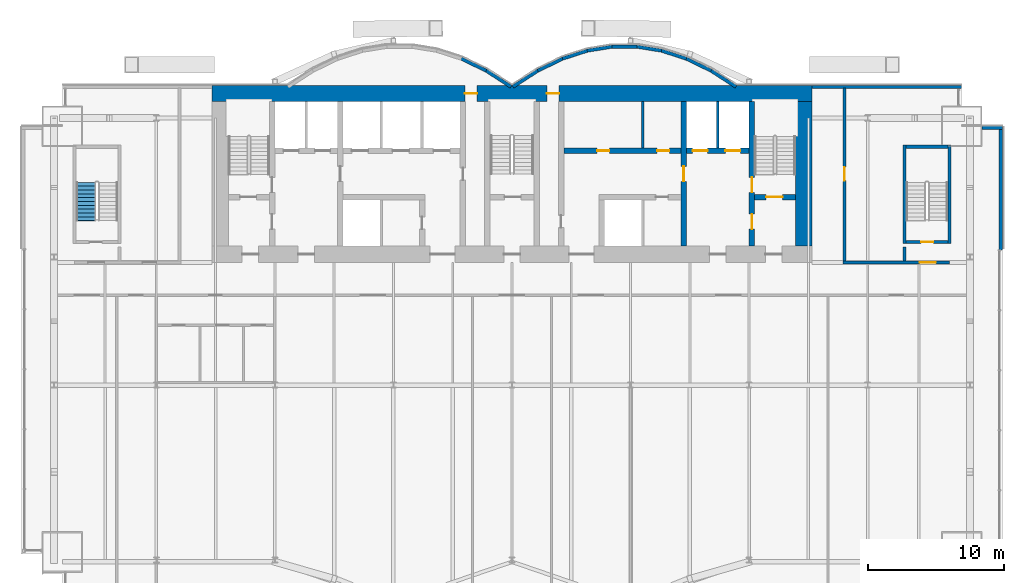
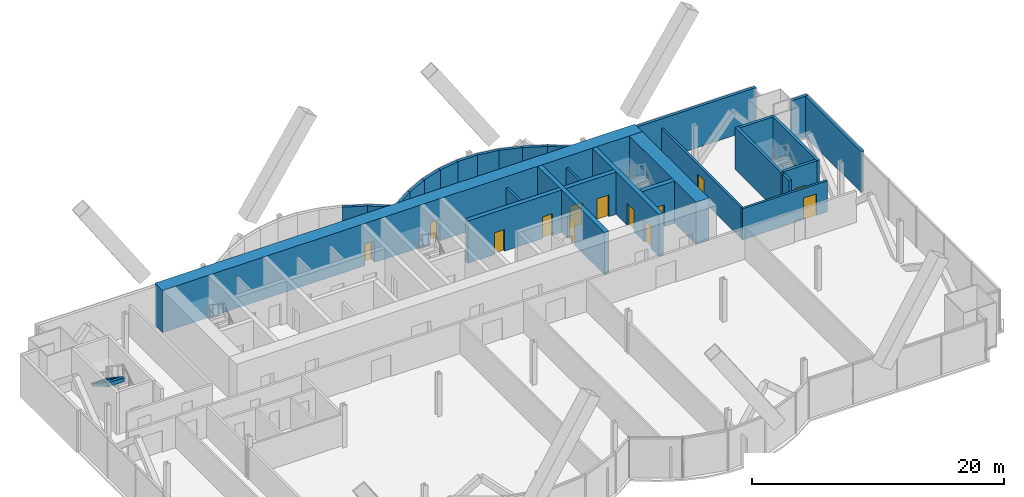
# One storey, part 17 of 21: 29 walls, 13 doors, 1 stair flight, 13 openings, 1 element without a shape of its own.
"""IFC4 building model written with IfcOpenShell, lengths in metres."""

from ifc_helpers import new_model, si_unit, direction, frame, frame_2d, origin, place, context, subcontext, project, spatial, polyline, rectangle, outline, extrude, material, layer, layer_set, layer_usage, type_object, element, fill, aggregate, save


model = new_model("IFC4")

# Units and contexts
model_context = context("Model", 3, precision=1e-05, world=origin(), true_north=direction((0.0, 1.0)))
body_context = subcontext(model_context, "Body", "Model", "MODEL_VIEW")
ifc_project = project(units=[si_unit("LENGTHUNIT", "METRE"), si_unit("AREAUNIT", "SQUARE_METRE"), si_unit("VOLUMEUNIT", "CUBIC_METRE"), si_unit("PLANEANGLEUNIT", "RADIAN"), si_unit("MASSUNIT", "GRAM", prefix="KILO")], contexts=[model_context])

# Site, building, storey
site_placement = place(None, origin())
site = spatial("IfcSite", under=ifc_project, at=site_placement, CompositionType="ELEMENT")
building_placement = place(site_placement, origin())
building = spatial("IfcBuilding", under=site, at=building_placement, Name="Bicima Exchange Tower", CompositionType="ELEMENT")
storey_placement = place(building_placement, frame((0.0, 0.0, 118.60009765625)))
storey = spatial("IfcBuildingStorey", under=building, at=storey_placement, Name="L25", CompositionType="ELEMENT", Elevation=118.60009765625)

# Wall
ifc_material_1 = material(Name="Gypsum board partition")
ifc_layer_1 = layer(ifc_material_1, 0.199951171875)
ifc_layer_set_1 = layer_set([ifc_layer_1], Name="Gypsum board partition")
wall_type_1 = type_object("IfcWallType", Name="Fire-rated gypsum partition 200 EI120", PredefinedType="PARTITIONING", material=ifc_layer_set_1)
wall_1_placement = place(storey_placement, frame((15.10009765625, -4.60009765625, 0.0), z_axis=(0.0, 0.0, 1.0), x_axis=(0.0, 1.0, 0.0)))
element("IfcWall", 1, at=wall_1_placement, inside=storey, type_object=wall_type_1, Name="partition wall 23", PredefinedType="PARTITIONING", context=body_context, shape_type="SweptSolid", body=[
    extrude(rectangle(XDim=3.400146484375, YDim=0.199951171875, at=frame_2d((1.7001953125, 0.0))), origin(), (0.0, 0.0, 1.0), 3.01806640625),
])

# Wall, opening, door
ifc_layer_2 = layer(ifc_material_1, 0.199951171875)
ifc_layer_set_2 = layer_set([ifc_layer_2], Name="Gypsum board partition")
wall_type_2 = type_object("IfcWallType", Name="Fire-rated gypsum partition 200 EI60", PredefinedType="PARTITIONING", material=ifc_layer_set_2)
wall_2_placement = place(storey_placement, frame((24.300048828125, -13.0, 0.0), z_axis=(0.0, 0.0, 1.0), x_axis=(1.0, 0.0, 0.0)))
wall_2 = element("IfcWall", 2, at=wall_2_placement, inside=storey, type_object=wall_type_2, Name="partition wall 5", PredefinedType="PARTITIONING", context=body_context, shape_type="SweptSolid", body=[
    extrude(rectangle(XDim=7.800048828125, YDim=0.199951171875, at=frame_2d((3.89990234375, 0.0))), origin(), (0.0, 0.0, 1.0), 3.01806640625),
])
opening_1_placement = place(wall_2_placement, frame((5.60009765625, 0.0, 0.0)))
opening_1 = element("IfcOpeningElement", 3, at=opening_1_placement, cuts=wall_2, Name="Opening L25-003", PredefinedType="OPENING", context=body_context, shape_type="SweptSolid", body=[
    extrude(rectangle(XDim=1.199951171875, YDim=2.10009765625, at=frame_2d((0.60009765625, 1.050048828125))), frame((0.0, 0.11181640625, 0.0), z_axis=(0.0, -1.0, 0.0), x_axis=(1.0, 0.0, 0.0)), (0.0, 0.0, 1.0), 0.223876953125),
])
ifc_material_2 = material(Name="Steel fire door leaf", Category="steel")
door_type_1 = type_object("IfcDoorType", Name="Door 1200 swing FD30S", OperationType="SINGLE_SWING_LEFT", PredefinedType="DOOR", material=ifc_material_2)
door_1_placement = place(opening_1_placement, origin())
door_1 = element("IfcDoor", 4, at=door_1_placement, inside=storey, type_object=door_type_1, Name="Door", OperationType="SINGLE_SWING_RIGHT", OverallHeight=2.10009765625, OverallWidth=1.199951171875, PredefinedType="DOOR", context=body_context, shape_type="SweptSolid", body=[
    extrude(rectangle(XDim=1.199951171875, YDim=2.10009765625, at=frame_2d((0.60009765625, 1.050048828125))), frame((0.0, 0.02490234375, 0.0), z_axis=(0.0, -1.0, 0.0), x_axis=(1.0, 0.0, 0.0)), (0.0, 0.0, 1.0), 0.050048828125),
])
fill(opening_1, door_1)

wall_3_placement = place(storey_placement, frame((24.39990234375, -12.89990234375, 0.0), z_axis=(0.0, 0.0, 1.0), x_axis=(0.0, 1.0, 0.0)))
wall_3 = element("IfcWall", 5, at=wall_3_placement, inside=storey, type_object=wall_type_2, Name="partition wall 25", PredefinedType="PARTITIONING", context=body_context, shape_type="SweptSolid", body=[
    extrude(rectangle(XDim=12.68994140625, YDim=0.199951171875, at=frame_2d((6.344970703125, 0.0))), origin(), (0.0, 0.0, 1.0), 3.01806640625),
])
opening_2_placement = place(wall_3_placement, frame((5.89990234375, 0.0, 0.0)))
opening_2 = element("IfcOpeningElement", 6, at=opening_2_placement, cuts=wall_3, Name="Opening L25-006", PredefinedType="OPENING", context=body_context, shape_type="SweptSolid", body=[
    extrude(rectangle(XDim=1.0, YDim=2.10009765625, at=frame_2d((0.5, 1.050048828125))), frame((0.0, 0.11181640625, 0.0), z_axis=(0.0, -1.0, 0.0), x_axis=(1.0, 0.0, 0.0)), (0.0, 0.0, 1.0), 0.223876953125),
])
door_type_2 = type_object("IfcDoorType", Name="Door 1000 swing FD30S", OperationType="SINGLE_SWING_LEFT", PredefinedType="DOOR", material=ifc_material_2)
door_2_placement = place(opening_2_placement, frame((1.0, 0.0, 0.0), z_axis=(0.0, 0.0, 1.0), x_axis=(-1.0, 0.0, 0.0)))
door_2 = element("IfcDoor", 7, at=door_2_placement, inside=storey, type_object=door_type_2, Name="Door", OperationType="SINGLE_SWING_RIGHT", OverallHeight=2.10009765625, OverallWidth=1.0, PredefinedType="DOOR", context=body_context, shape_type="SweptSolid", body=[
    extrude(rectangle(XDim=1.0, YDim=2.10009765625, at=frame_2d((0.5, 1.050048828125))), frame((0.0, 0.02490234375, 0.0), z_axis=(0.0, -1.0, 0.0), x_axis=(1.0, 0.0, 0.0)), (0.0, 0.0, 1.0), 0.050048828125),
])
fill(opening_2, door_2)

# Wall
wall_4_placement = place(storey_placement, frame((9.60009765625, -4.60009765625, 0.0), z_axis=(0.0, 0.0, 1.0), x_axis=(0.0, 1.0, 0.0)))
element("IfcWall", 8, at=wall_4_placement, inside=storey, type_object=wall_type_2, Name="partition wall 21", PredefinedType="PARTITIONING", context=body_context, shape_type="SweptSolid", body=[
    extrude(rectangle(XDim=3.400146484375, YDim=0.199951171875, at=frame_2d((1.7001953125, 0.0))), origin(), (0.0, 0.0, 1.0), 3.01806640625),
])

# Wall, openings, doors
ifc_material_3 = material(Name="Concrete C60/75", Category="concrete")
ifc_layer_3 = layer(ifc_material_3, 1.199951171875)
ifc_layer_set_3 = layer_set([ifc_layer_3], Name="Concrete C60/75")
wall_type_3 = type_object("IfcWallType", Name="RC core wall 1200 C60/75", PredefinedType="SHEAR", material=ifc_layer_set_3)
wall_5_placement = place(storey_placement, frame((-22.0, -0.60009765625, 0.0), z_axis=(0.0, 0.0, 1.0), x_axis=(1.0, 0.0, 0.0)))
wall_5 = element("IfcWall", 9, at=wall_5_placement, inside=storey, type_object=wall_type_3, Name="Core wall north", PredefinedType="SHEAR", context=body_context, shape_type="SweptSolid", body=[
    extrude(rectangle(XDim=44.0, YDim=1.199951171875, at=frame_2d((22.0, 0.0))), origin(), (0.0, 0.0, 1.0), 4.099853515625),
])
opening_3_placement = place(wall_5_placement, frame((18.550048828125, 0.0, 0.0)))
opening_3 = element("IfcOpeningElement", 10, at=opening_3_placement, cuts=wall_5, Name="Opening L25-C16", PredefinedType="OPENING", context=body_context, shape_type="SweptSolid", body=[
    extrude(rectangle(XDim=0.89990234375, YDim=2.10009765625, at=frame_2d((0.449951171875, 1.050048828125))), frame((0.0, 0.61181640625, 0.0), z_axis=(0.0, -1.0, 0.0), x_axis=(1.0, 0.0, 0.0)), (0.0, 0.0, 1.0), 1.223876953125),
])
opening_4_placement = place(wall_5_placement, frame((24.550048828125, 0.0, 0.0)))
opening_4 = element("IfcOpeningElement", 11, at=opening_4_placement, cuts=wall_5, Name="Opening L25-C17", PredefinedType="OPENING", context=body_context, shape_type="SweptSolid", body=[
    extrude(rectangle(XDim=0.89990234375, YDim=2.10009765625, at=frame_2d((0.449951171875, 1.050048828125))), frame((0.0, 0.61181640625, 0.0), z_axis=(0.0, -1.0, 0.0), x_axis=(1.0, 0.0, 0.0)), (0.0, 0.0, 1.0), 1.223876953125),
])
door_type_3 = type_object("IfcDoorType", Name="Door 900 swing FD30S", OperationType="SINGLE_SWING_LEFT", PredefinedType="DOOR", material=ifc_material_2)
door_3_placement = place(opening_3_placement, origin())
door_3 = element("IfcDoor", 12, at=door_3_placement, inside=storey, type_object=door_type_3, Name="Core door", OperationType="SINGLE_SWING_LEFT", OverallHeight=2.10009765625, OverallWidth=0.89990234375, PredefinedType="DOOR", context=body_context, shape_type="SweptSolid", body=[
    extrude(rectangle(XDim=0.89990234375, YDim=2.10009765625, at=frame_2d((0.449951171875, 1.050048828125))), frame((0.0, 0.02490234375, 0.0), z_axis=(0.0, -1.0, 0.0), x_axis=(1.0, 0.0, 0.0)), (0.0, 0.0, 1.0), 0.050048828125),
])
fill(opening_3, door_3)
door_4_placement = place(opening_4_placement, origin())
door_4 = element("IfcDoor", 13, at=door_4_placement, inside=storey, type_object=door_type_3, Name="Core door", OperationType="SINGLE_SWING_LEFT", OverallHeight=2.10009765625, OverallWidth=0.89990234375, PredefinedType="DOOR", context=body_context, shape_type="SweptSolid", body=[
    extrude(rectangle(XDim=0.89990234375, YDim=2.10009765625, at=frame_2d((0.449951171875, 1.050048828125))), frame((0.0, 0.02490234375, 0.0), z_axis=(0.0, -1.0, 0.0), x_axis=(1.0, 0.0, 0.0)), (0.0, 0.0, 1.0), 0.050048828125),
])
fill(opening_4, door_4)

# Walls
wall_6_placement = place(storey_placement, frame((21.39990234375, -11.800048828125, 0.0), z_axis=(0.0, 0.0, 1.0), x_axis=(0.0, 1.0, 0.0)))
element("IfcWall", 14, at=wall_6_placement, inside=storey, type_object=wall_type_3, Name="Core wall east", PredefinedType="SHEAR", context=body_context, shape_type="SweptSolid", body=[
    extrude(rectangle(XDim=10.60009765625, YDim=1.199951171875, at=frame_2d((5.300048828125, 0.0))), origin(), (0.0, 0.0, 1.0), 4.099853515625),
])
ifc_material_4 = material(Name="Concrete C50/60", Category="concrete")
ifc_layer_4 = layer(ifc_material_4, 0.25)
ifc_layer_set_4 = layer_set([ifc_layer_4], Name="Concrete C50/60")
wall_type_4 = type_object("IfcWallType", Name="RC core wall 250 C50/60", PredefinedType="SHEAR", material=ifc_layer_set_4)
wall_7_placement = place(storey_placement, frame((28.800048828125, -12.89990234375, 0.0), z_axis=(0.0, 0.0, 1.0), x_axis=(0.0, 1.0, 0.0)))
element("IfcWall", 15, at=wall_7_placement, inside=storey, type_object=wall_type_4, Name="stair wall 26", PredefinedType="SHEAR", context=body_context, shape_type="SweptSolid", body=[
    extrude(rectangle(XDim=1.0498046875, YDim=0.25, at=frame_2d((0.52490234375, 0.0))), origin(), (0.0, 0.0, 1.0), 4.099853515625),
])

# Wall, opening, door
ifc_layer_5 = layer(ifc_material_4, 0.39990234375)
ifc_layer_set_5 = layer_set([ifc_layer_5], Name="Concrete C50/60")
wall_type_5 = type_object("IfcWallType", Name="RC core wall 400 C50/60", PredefinedType="SHEAR", material=ifc_layer_set_5)
wall_8_placement = place(storey_placement, frame((17.800048828125, -8.199951171875, 0.0), z_axis=(0.0, 0.0, 1.0), x_axis=(1.0, 0.0, 0.0)))
wall_8 = element("IfcWall", 16, at=wall_8_placement, inside=storey, type_object=wall_type_5, Name="stair wall 5", PredefinedType="SHEAR", context=body_context, shape_type="SweptSolid", body=[
    extrude(rectangle(XDim=3.0, YDim=0.39990234375, at=frame_2d((1.5, 0.0))), origin(), (0.0, 0.0, 1.0), 4.099853515625),
])
opening_5_placement = place(wall_8_placement, frame((0.85009765625, 0.0, 0.0)))
opening_5 = element("IfcOpeningElement", 17, at=opening_5_placement, cuts=wall_8, Name="Opening L25-C04", PredefinedType="OPENING", context=body_context, shape_type="SweptSolid", body=[
    extrude(rectangle(XDim=1.199951171875, YDim=2.10009765625, at=frame_2d((0.60009765625, 1.050048828125))), frame((0.0, 0.2119140625, 0.0), z_axis=(0.0, -1.0, 0.0), x_axis=(1.0, 0.0, 0.0)), (0.0, 0.0, 1.0), 0.423828125),
])
door_type_4 = type_object("IfcDoorType", Name="Door 1200 swing FD60S", OperationType="SINGLE_SWING_LEFT", PredefinedType="DOOR", material=ifc_material_2)
door_5_placement = place(opening_5_placement, origin())
door_5 = element("IfcDoor", 18, at=door_5_placement, inside=storey, type_object=door_type_4, Name="Core door", OperationType="SINGLE_SWING_RIGHT", OverallHeight=2.10009765625, OverallWidth=1.199951171875, PredefinedType="DOOR", context=body_context, shape_type="SweptSolid", body=[
    extrude(rectangle(XDim=1.199951171875, YDim=2.10009765625, at=frame_2d((0.60009765625, 1.050048828125))), frame((0.0, 0.02490234375, 0.0), z_axis=(0.0, -1.0, 0.0), x_axis=(1.0, 0.0, 0.0)), (0.0, 0.0, 1.0), 0.050048828125),
])
fill(opening_5, door_5)

# Wall, openings, doors
wall_9_placement = place(storey_placement, frame((17.60009765625, -11.800048828125, 0.0), z_axis=(0.0, 0.0, 1.0), x_axis=(0.0, 1.0, 0.0)))
wall_9 = element("IfcWall", 19, at=wall_9_placement, inside=storey, type_object=wall_type_5, Name="stair wall 24", PredefinedType="SHEAR", context=body_context, shape_type="SweptSolid", body=[
    extrude(rectangle(XDim=10.60009765625, YDim=0.39990234375, at=frame_2d((5.300048828125, 0.0))), origin(), (0.0, 0.0, 1.0), 4.099853515625),
])
opening_6_placement = place(wall_9_placement, frame((1.25, 0.0, 0.0)))
opening_6 = element("IfcOpeningElement", 20, at=opening_6_placement, cuts=wall_9, Name="Opening L25-C05", PredefinedType="OPENING", context=body_context, shape_type="SweptSolid", body=[
    extrude(rectangle(XDim=1.10009765625, YDim=2.10009765625, at=frame_2d((0.550048828125, 1.050048828125))), frame((0.0, 0.2119140625, 0.0), z_axis=(0.0, -1.0, 0.0), x_axis=(1.0, 0.0, 0.0)), (0.0, 0.0, 1.0), 0.423828125),
])
opening_7_placement = place(wall_9_placement, frame((3.949951171875, 0.0, 0.0)))
opening_7 = element("IfcOpeningElement", 21, at=opening_7_placement, cuts=wall_9, Name="Opening L25-C08", PredefinedType="OPENING", context=body_context, shape_type="SweptSolid", body=[
    extrude(rectangle(XDim=1.10009765625, YDim=2.10009765625, at=frame_2d((0.550048828125, 1.050048828125))), frame((0.0, 0.2119140625, 0.0), z_axis=(0.0, -1.0, 0.0), x_axis=(1.0, 0.0, 0.0)), (0.0, 0.0, 1.0), 0.423828125),
])
door_type_5 = type_object("IfcDoorType", Name="Door 1100 swing FD60S", OperationType="SINGLE_SWING_LEFT", PredefinedType="DOOR", material=ifc_material_2)
door_6_placement = place(opening_6_placement, origin())
door_6 = element("IfcDoor", 22, at=door_6_placement, inside=storey, type_object=door_type_5, Name="Core door", OperationType="SINGLE_SWING_LEFT", OverallHeight=2.10009765625, OverallWidth=1.10009765625, PredefinedType="DOOR", context=body_context, shape_type="SweptSolid", body=[
    extrude(rectangle(XDim=1.10009765625, YDim=2.10009765625, at=frame_2d((0.550048828125, 1.050048828125))), frame((0.0, 0.02490234375, 0.0), z_axis=(0.0, -1.0, 0.0), x_axis=(1.0, 0.0, 0.0)), (0.0, 0.0, 1.0), 0.050048828125),
])
fill(opening_6, door_6)
door_7_placement = place(opening_7_placement, origin())
door_7 = element("IfcDoor", 23, at=door_7_placement, inside=storey, type_object=door_type_5, Name="Core door", OperationType="SINGLE_SWING_RIGHT", OverallHeight=2.10009765625, OverallWidth=1.10009765625, PredefinedType="DOOR", context=body_context, shape_type="SweptSolid", body=[
    extrude(rectangle(XDim=1.10009765625, YDim=2.10009765625, at=frame_2d((0.550048828125, 1.050048828125))), frame((0.0, 0.02490234375, 0.0), z_axis=(0.0, -1.0, 0.0), x_axis=(1.0, 0.0, 0.0)), (0.0, 0.0, 1.0), 0.050048828125),
])
fill(opening_7, door_7)

ifc_layer_6 = layer(ifc_material_3, 0.39990234375)
ifc_layer_set_6 = layer_set([ifc_layer_6], Name="Concrete C60/75")
wall_type_6 = type_object("IfcWallType", Name="RC core wall 400 C60/75", PredefinedType="SHEAR", material=ifc_layer_set_6)
wall_10_placement = place(storey_placement, frame((3.800048828125, -4.800048828125, 0.0), z_axis=(0.0, 0.0, 1.0), x_axis=(1.0, 0.0, 0.0)))
wall_10 = element("IfcWall", 24, at=wall_10_placement, inside=storey, type_object=wall_type_6, Name="shear wall 7", PredefinedType="SHEAR", context=body_context, shape_type="SweptSolid", body=[
    extrude(rectangle(XDim=13.599853515625, YDim=0.39990234375, at=frame_2d((6.7998046875, 0.0))), origin(), (0.0, 0.0, 1.0), 4.099853515625),
])
opening_8_placement = place(wall_10_placement, frame((9.449951171875, 0.0, 0.0)))
opening_8 = element("IfcOpeningElement", 25, at=opening_8_placement, cuts=wall_10, Name="Opening LD-FF2-L25", PredefinedType="OPENING", context=body_context, shape_type="SweptSolid", body=[
    extrude(rectangle(XDim=1.10009765625, YDim=2.10009765625, at=frame_2d((0.550048828125, 1.050048828125))), frame((0.0, 0.2119140625, 0.0), z_axis=(0.0, -1.0, 0.0), x_axis=(1.0, 0.0, 0.0)), (0.0, 0.0, 1.0), 0.423828125),
])
opening_9_placement = place(wall_10_placement, frame((11.85009765625, 0.0, 0.0)))
opening_9 = element("IfcOpeningElement", 26, at=opening_9_placement, cuts=wall_10, Name="Opening LD-SV1-L25", PredefinedType="OPENING", context=body_context, shape_type="SweptSolid", body=[
    extrude(rectangle(XDim=1.10009765625, YDim=2.10009765625, at=frame_2d((0.550048828125, 1.050048828125))), frame((0.0, 0.2119140625, 0.0), z_axis=(0.0, -1.0, 0.0), x_axis=(1.0, 0.0, 0.0)), (0.0, 0.0, 1.0), 0.423828125),
])
opening_10_placement = place(wall_10_placement, frame((2.449951171875, 0.0, 0.0)))
opening_10 = element("IfcOpeningElement", 27, at=opening_10_placement, cuts=wall_10, Name="Opening L25-C12", PredefinedType="OPENING", context=body_context, shape_type="SweptSolid", body=[
    extrude(rectangle(XDim=0.89990234375, YDim=2.10009765625, at=frame_2d((0.449951171875, 1.050048828125))), frame((0.0, 0.2119140625, 0.0), z_axis=(0.0, -1.0, 0.0), x_axis=(1.0, 0.0, 0.0)), (0.0, 0.0, 1.0), 0.423828125),
])
opening_11_placement = place(wall_10_placement, frame((6.85009765625, 0.0, 0.0)))
opening_11 = element("IfcOpeningElement", 28, at=opening_11_placement, cuts=wall_10, Name="Opening L25-C13", PredefinedType="OPENING", context=body_context, shape_type="SweptSolid", body=[
    extrude(rectangle(XDim=0.89990234375, YDim=2.10009765625, at=frame_2d((0.449951171875, 1.050048828125))), frame((0.0, 0.2119140625, 0.0), z_axis=(0.0, -1.0, 0.0), x_axis=(1.0, 0.0, 0.0)), (0.0, 0.0, 1.0), 0.423828125),
])
door_8_placement = place(opening_10_placement, origin())
door_8 = element("IfcDoor", 29, at=door_8_placement, inside=storey, type_object=door_type_3, Name="Core door", OperationType="SINGLE_SWING_RIGHT", OverallHeight=2.10009765625, OverallWidth=0.89990234375, PredefinedType="DOOR", context=body_context, shape_type="SweptSolid", body=[
    extrude(rectangle(XDim=0.89990234375, YDim=2.10009765625, at=frame_2d((0.449951171875, 1.050048828125))), frame((0.0, 0.02490234375, 0.0), z_axis=(0.0, -1.0, 0.0), x_axis=(1.0, 0.0, 0.0)), (0.0, 0.0, 1.0), 0.050048828125),
])
fill(opening_10, door_8)
door_9_placement = place(opening_11_placement, origin())
door_9 = element("IfcDoor", 30, at=door_9_placement, inside=storey, type_object=door_type_3, Name="Core door", OperationType="SINGLE_SWING_LEFT", OverallHeight=2.10009765625, OverallWidth=0.89990234375, PredefinedType="DOOR", context=body_context, shape_type="SweptSolid", body=[
    extrude(rectangle(XDim=0.89990234375, YDim=2.10009765625, at=frame_2d((0.449951171875, 1.050048828125))), frame((0.0, 0.02490234375, 0.0), z_axis=(0.0, -1.0, 0.0), x_axis=(1.0, 0.0, 0.0)), (0.0, 0.0, 1.0), 0.050048828125),
])
fill(opening_11, door_9)
ifc_material_5 = material(Name="Stainless steel", Category="steel")
door_type_6 = type_object("IfcDoorType", Name="Lift landing door 1100 sliding", OperationType="DOUBLE_DOOR_SLIDING", PredefinedType="DOOR", material=ifc_material_5)
door_10_placement = place(opening_8_placement, origin())
door_10 = element("IfcDoor", 31, at=door_10_placement, inside=storey, type_object=door_type_6, Name="Lift landing door FF2", OperationType="DOUBLE_DOOR_SLIDING", OverallHeight=2.10009765625, OverallWidth=1.10009765625, PredefinedType="DOOR", context=body_context, shape_type="SweptSolid", body=[
    extrude(rectangle(XDim=1.10009765625, YDim=2.10009765625, at=frame_2d((0.550048828125, 1.050048828125))), frame((0.0, 0.02490234375, 0.0), z_axis=(0.0, -1.0, 0.0), x_axis=(1.0, 0.0, 0.0)), (0.0, 0.0, 1.0), 0.050048828125),
])
fill(opening_8, door_10)
door_11_placement = place(opening_9_placement, origin())
door_11 = element("IfcDoor", 32, at=door_11_placement, inside=storey, type_object=door_type_6, Name="Lift landing door SV1", OperationType="DOUBLE_DOOR_SLIDING", OverallHeight=2.10009765625, OverallWidth=1.10009765625, PredefinedType="DOOR", context=body_context, shape_type="SweptSolid", body=[
    extrude(rectangle(XDim=1.10009765625, YDim=2.10009765625, at=frame_2d((0.550048828125, 1.050048828125))), frame((0.0, 0.02490234375, 0.0), z_axis=(0.0, -1.0, 0.0), x_axis=(1.0, 0.0, 0.0)), (0.0, 0.0, 1.0), 0.050048828125),
])
fill(opening_9, door_11)

# Wall, opening, door
wall_11_placement = place(storey_placement, frame((12.60009765625, -11.800048828125, 0.0), z_axis=(0.0, 0.0, 1.0), x_axis=(0.0, 1.0, 0.0)))
wall_11 = element("IfcWall", 33, at=wall_11_placement, inside=storey, type_object=wall_type_6, Name="shear wall 22", PredefinedType="SHEAR", context=body_context, shape_type="SweptSolid", body=[
    extrude(rectangle(XDim=10.60009765625, YDim=0.39990234375, at=frame_2d((5.300048828125, 0.0))), origin(), (0.0, 0.0, 1.0), 4.099853515625),
])
opening_12_placement = place(wall_11_placement, frame((4.75, 0.0, 0.0)))
opening_12 = element("IfcOpeningElement", 34, at=opening_12_placement, cuts=wall_11, Name="Opening L25-C09", PredefinedType="OPENING", context=body_context, shape_type="SweptSolid", body=[
    extrude(rectangle(XDim=1.10009765625, YDim=2.10009765625, at=frame_2d((0.550048828125, 1.050048828125))), frame((0.0, 0.2119140625, 0.0), z_axis=(0.0, -1.0, 0.0), x_axis=(1.0, 0.0, 0.0)), (0.0, 0.0, 1.0), 0.423828125),
])
door_12_placement = place(opening_12_placement, frame((1.10009765625, 0.0, 0.0), z_axis=(0.0, 0.0, 1.0), x_axis=(-1.0, 0.0, 0.0)))
door_12 = element("IfcDoor", 35, at=door_12_placement, inside=storey, type_object=door_type_5, Name="Core door", OperationType="SINGLE_SWING_RIGHT", OverallHeight=2.10009765625, OverallWidth=1.10009765625, PredefinedType="DOOR", context=body_context, shape_type="SweptSolid", body=[
    extrude(rectangle(XDim=1.10009765625, YDim=2.10009765625, at=frame_2d((0.550048828125, 1.050048828125))), frame((0.0, 0.02490234375, 0.0), z_axis=(0.0, -1.0, 0.0), x_axis=(1.0, 0.0, 0.0)), (0.0, 0.0, 1.0), 0.050048828125),
])
fill(opening_12, door_12)

# Walls
ifc_layer_7 = layer(ifc_material_4, 0.25)
ifc_layer_set_7 = layer_set([ifc_layer_7], Name="Concrete C50/60")
wall_type_7 = type_object("IfcWallType", Name="RC stair enclosure wall 250 C50/60", PredefinedType="SHEAR", material=ifc_layer_set_7)
for number, where, z_axis, x_axis, name in (
    (36, (28.800048828125, -11.625, 0.0), (0.0, 0.0, 1.0), (0.0, 1.0, 0.0), "East end exit stair wall W"),
    (37, (32.10009765625, -11.625, 0.0), (0.0, 0.0, 1.0), (0.0, 1.0, 0.0), "East end exit stair wall E"),
):
    element("IfcWall", number, at=place(storey_placement, frame(where, z_axis=z_axis, x_axis=x_axis)), inside=storey, type_object=wall_type_7, Name=name, PredefinedType="SHEAR", context=body_context, shape_type="SweptSolid", body=[
        extrude(rectangle(XDim=7.25, YDim=0.25, at=frame_2d((3.625, 0.0))), origin(), (0.0, 0.0, 1.0), 4.099853515625),
    ])

# Wall, opening, door
wall_12_placement = place(storey_placement, frame((28.925048828125, -11.5, 0.0), z_axis=(0.0, 0.0, 1.0), x_axis=(1.0, 0.0, 0.0)))
wall_12 = element("IfcWall", 38, at=wall_12_placement, inside=storey, type_object=wall_type_7, Name="East end exit stair wall S", PredefinedType="SHEAR", context=body_context, shape_type="SweptSolid", body=[
    extrude(rectangle(XDim=3.050048828125, YDim=0.25, at=frame_2d((1.52490234375, 0.0))), origin(), (0.0, 0.0, 1.0), 4.099853515625),
])
opening_13_placement = place(wall_12_placement, frame((1.10009765625, 0.0, 0.0)))
opening_13 = element("IfcOpeningElement", 39, at=opening_13_placement, cuts=wall_12, Name="Opening L25-004", PredefinedType="OPENING", context=body_context, shape_type="SweptSolid", body=[
    extrude(rectangle(XDim=0.89990234375, YDim=2.10009765625, at=frame_2d((0.449951171875, 1.050048828125))), frame((0.0, 0.136962890625, 0.0), z_axis=(0.0, -1.0, 0.0), x_axis=(1.0, 0.0, 0.0)), (0.0, 0.0, 1.0), 0.27392578125),
])
door_type_7 = type_object("IfcDoorType", Name="Door 900 swing FD60S", OperationType="SINGLE_SWING_LEFT", PredefinedType="DOOR", material=ifc_material_2)
door_13_placement = place(opening_13_placement, origin())
door_13 = element("IfcDoor", 40, at=door_13_placement, inside=storey, type_object=door_type_7, Name="Door", OperationType="SINGLE_SWING_LEFT", OverallHeight=2.10009765625, OverallWidth=0.89990234375, PredefinedType="DOOR", context=body_context, shape_type="SweptSolid", body=[
    extrude(rectangle(XDim=0.89990234375, YDim=2.10009765625, at=frame_2d((0.449951171875, 1.050048828125))), frame((0.0, 0.02490234375, 0.0), z_axis=(0.0, -1.0, 0.0), x_axis=(1.0, 0.0, 0.0)), (0.0, 0.0, 1.0), 0.050048828125),
])
fill(opening_13, door_13)

# Walls
wall_13_placement = place(storey_placement, frame((28.925048828125, -4.5, 0.0), z_axis=(0.0, 0.0, 1.0), x_axis=(1.0, 0.0, 0.0)))
element("IfcWall", 41, at=wall_13_placement, inside=storey, type_object=wall_type_7, Name="East end exit stair wall N", PredefinedType="SHEAR", context=body_context, shape_type="SweptSolid", body=[
    extrude(rectangle(XDim=3.050048828125, YDim=0.25, at=frame_2d((1.52490234375, 0.0))), origin(), (0.0, 0.0, 1.0), 4.099853515625),
])
ifc_material_6 = material(Name="Concrete C40/50", Category="concrete")
ifc_layer_8 = layer(ifc_material_6, 0.25)
ifc_layer_set_8 = layer_set([ifc_layer_8], Name="Concrete C40/50")
ifc_layer_usage = layer_usage(ifc_layer_set_8, "AXIS2", "POSITIVE", -0.125)
wall_type_8 = type_object("IfcWallType", Name="Rear backup wall 250", PredefinedType="STANDARD", material=ifc_layer_set_8)
wall_14_placement = place(storey_placement, frame((33.0, -0.125, 0.0), z_axis=(0.0, 0.0, 1.0), x_axis=(-1.0, 0.0, 0.0)))
element("IfcWall", 42, at=wall_14_placement, inside=storey, type_object=wall_type_8, material=ifc_layer_usage, Name="Rear backup wall L25 1", PredefinedType="STANDARD", context=body_context, shape_type="SweptSolid", body=[
    extrude(rectangle(XDim=11.0, YDim=0.25, at=frame_2d((5.5, 0.0))), origin(), (0.0, 0.0, 1.0), 3.949951171875),
])
wall_15_placement = place(storey_placement, frame((16.43212890625, -0.10498046875, 0.0), z_axis=(0.0, 0.0, 1.0), x_axis=(-0.83981312244, 0.542875602121, 0.0)))
element("IfcWall", 43, at=wall_15_placement, inside=storey, type_object=wall_type_8, material=ifc_layer_usage, Name="Rear backup wall L25 2", PredefinedType="STANDARD", context=body_context, shape_type="SweptSolid", body=[
    extrude(rectangle(XDim=2.182861328125, YDim=0.25, at=frame_2d((1.09130859375, 0.0))), origin(), (0.0, 0.0, 1.0), 3.949951171875),
])
wall_16_placement = place(storey_placement, frame((14.6123046875, 1.07275390625, 0.0), z_axis=(0.0, 0.0, 1.0), x_axis=(-0.89982408427, 0.436252928206, 0.0)))
element("IfcWall", 44, at=wall_16_placement, inside=storey, type_object=wall_type_8, material=ifc_layer_usage, Name="Rear backup wall L25 3", PredefinedType="STANDARD", context=body_context, shape_type="SweptSolid", body=[
    extrude(rectangle(XDim=2.03759765625, YDim=0.25, at=frame_2d((1.018798828125, 0.0))), origin(), (0.0, 0.0, 1.0), 3.949951171875),
])
wall_17_placement = place(storey_placement, frame((12.794921875, 1.955078125, 0.0), z_axis=(0.0, 0.0, 1.0), x_axis=(-0.951495806175, 0.307661714928, 0.0)))
element("IfcWall", 45, at=wall_17_placement, inside=storey, type_object=wall_type_8, material=ifc_layer_usage, Name="Rear backup wall L25 4", PredefinedType="STANDARD", context=body_context, shape_type="SweptSolid", body=[
    extrude(rectangle(XDim=1.9267578125, YDim=0.25, at=frame_2d((0.96337890625, 0.0))), origin(), (0.0, 0.0, 1.0), 3.949951171875),
])
wall_18_placement = place(storey_placement, frame((10.97998046875, 2.543212890625, 0.0), z_axis=(0.0, 0.0, 1.0), x_axis=(-0.987181718931, 0.159600293885, 0.0)))
element("IfcWall", 46, at=wall_18_placement, inside=storey, type_object=wall_type_8, material=ifc_layer_usage, Name="Rear backup wall L25 5", PredefinedType="STANDARD", context=body_context, shape_type="SweptSolid", body=[
    extrude(rectangle(XDim=1.857177734375, YDim=0.25, at=frame_2d((0.9287109375, 0.0))), origin(), (0.0, 0.0, 1.0), 3.949951171875),
])
wall_19_placement = place(storey_placement, frame((9.166748046875, 2.837890625, 0.0), z_axis=(0.0, 0.0, 1.0), x_axis=(-1.0, 0.0, 0.0)))
element("IfcWall", 47, at=wall_19_placement, inside=storey, type_object=wall_type_8, material=ifc_layer_usage, Name="Rear backup wall L25 6", PredefinedType="STANDARD", context=body_context, shape_type="SweptSolid", body=[
    extrude(rectangle(XDim=1.83349609375, YDim=0.25, at=frame_2d((0.916748046875, 0.0))), origin(), (0.0, 0.0, 1.0), 3.949951171875),
])
wall_20_placement = place(storey_placement, frame((7.353271484375, 2.839599609375, 0.0), z_axis=(0.0, 0.0, 1.0), x_axis=(-0.987181718931, -0.159600293885, 0.0)))
element("IfcWall", 48, at=wall_20_placement, inside=storey, type_object=wall_type_8, material=ifc_layer_usage, Name="Rear backup wall L25 7", PredefinedType="STANDARD", context=body_context, shape_type="SweptSolid", body=[
    extrude(rectangle(XDim=1.857177734375, YDim=0.25, at=frame_2d((0.9287109375, 0.0))), origin(), (0.0, 0.0, 1.0), 3.949951171875),
])
wall_21_placement = place(storey_placement, frame((5.538330078125, 2.5478515625, 0.0), z_axis=(0.0, 0.0, 1.0), x_axis=(-0.951495806175, -0.307661714928, 0.0)))
element("IfcWall", 49, at=wall_21_placement, inside=storey, type_object=wall_type_8, material=ifc_layer_usage, Name="Rear backup wall L25 8", PredefinedType="STANDARD", context=body_context, shape_type="SweptSolid", body=[
    extrude(rectangle(XDim=1.9267578125, YDim=0.25, at=frame_2d((0.96337890625, 0.0))), origin(), (0.0, 0.0, 1.0), 3.949951171875),
])
wall_22_placement = place(storey_placement, frame((3.72119140625, 1.961669921875, 0.0), z_axis=(0.0, 0.0, 1.0), x_axis=(-0.89982408427, -0.436252928206, 0.0)))
element("IfcWall", 50, at=wall_22_placement, inside=storey, type_object=wall_type_8, material=ifc_layer_usage, Name="Rear backup wall L25 9", PredefinedType="STANDARD", context=body_context, shape_type="SweptSolid", body=[
    extrude(rectangle(XDim=2.03759765625, YDim=0.25, at=frame_2d((1.018798828125, 0.0))), origin(), (0.0, 0.0, 1.0), 3.949951171875),
])
for number, where, z_axis, x_axis, name in (
    (51, (1.901123046875, 1.080078125, 0.0), (0.0, 0.0, 1.0), (-0.83981312244, -0.542875602121, 0.0), "Rear backup wall L25 10"),
    (52, (-0.06787109375, -0.10498046875, 0.0), (0.0, 0.0, 1.0), (-0.83981312244, 0.542875602121, 0.0), "Rear backup wall L25 11"),
):
    element("IfcWall", number, at=place(storey_placement, frame(where, z_axis=z_axis, x_axis=x_axis)), inside=storey, type_object=wall_type_8, material=ifc_layer_usage, Name=name, PredefinedType="STANDARD", context=body_context, shape_type="SweptSolid", body=[
        extrude(rectangle(XDim=2.182861328125, YDim=0.25, at=frame_2d((1.09130859375, 0.0))), origin(), (0.0, 0.0, 1.0), 3.949951171875),
    ])
wall_23_placement = place(storey_placement, frame((-1.8876953125, 1.07275390625, 0.0), z_axis=(0.0, 0.0, 1.0), x_axis=(-0.89982408427, 0.436252928206, 0.0)))
element("IfcWall", 53, at=wall_23_placement, inside=storey, type_object=wall_type_8, material=ifc_layer_usage, Name="Rear backup wall L25 12", PredefinedType="STANDARD", context=body_context, shape_type="SweptSolid", body=[
    extrude(rectangle(XDim=2.03759765625, YDim=0.25, at=frame_2d((1.018798828125, 0.0))), origin(), (0.0, 0.0, 1.0), 3.949951171875),
])
wall_24_placement = place(storey_placement, frame((35.875, -12.090087890625, 0.0), z_axis=(0.0, 0.0, 1.0), x_axis=(0.0, 1.0, 0.0)))
element("IfcWall", 54, at=wall_24_placement, inside=storey, type_object=wall_type_8, material=ifc_layer_usage, Name="Rear backup wall L25 50", PredefinedType="STANDARD", context=body_context, shape_type="SweptSolid", body=[
    extrude(rectangle(XDim=9.090087890625, YDim=0.25, at=frame_2d((4.544921875, 0.0))), origin(), (0.0, 0.0, 1.0), 3.949951171875),
])
wall_25_placement = place(storey_placement, frame((36.0, -3.125, 0.0), z_axis=(0.0, 0.0, 1.0), x_axis=(-1.0, 0.0, 0.0)))
element("IfcWall", 55, at=wall_25_placement, inside=storey, type_object=wall_type_8, material=ifc_layer_usage, Name="Rear backup wall L25 51", PredefinedType="STANDARD", context=body_context, shape_type="SweptSolid", body=[
    extrude(rectangle(XDim=1.5, YDim=0.25, at=frame_2d((0.75, 0.0))), origin(), (0.0, 0.0, 1.0), 3.949951171875),
])

# Stair, stair flight
stair_type = type_object("IfcStairType", Name="Exit stair", PredefinedType="HALF_TURN_STAIR", material=ifc_material_4)
stair_placement = place(storey_placement, origin())
stair = element("IfcStair", 56, at=stair_placement, inside=storey, type_object=stair_type, Name="L25 West end exit stair", PredefinedType="HALF_TURN_STAIR")
stair_flight_type = type_object("IfcStairFlightType", Name="Stair flight RC", PredefinedType="STRAIGHT", material=ifc_material_4)
stair_flight_placement = place(storey_placement, frame((-31.25, -7.125, 2.0498046875), z_axis=(0.0, 0.0, 1.0), x_axis=(0.0, -1.0, 0.0)))
stair_flight = element("IfcStairFlight", 57, at=stair_flight_placement, type_object=stair_flight_type, Name="ST-WW flight 2", NumberOfRisers=11, NumberOfTreads=10, PredefinedType="STRAIGHT", RiserHeight=0.186363636, TreadLength=0.28, context=body_context, shape_type="SweptSolid", body=[
    extrude(outline(polyline([(0.0, 0.0), (0.0, 0.186279296875), (0.280029296875, 0.186279296875), (0.280029296875, 0.372802734375), (0.56005859375, 0.372802734375), (0.56005859375, 0.55908203125), (0.840087890625, 0.55908203125), (0.840087890625, 0.745361328125), (1.1201171875, 0.745361328125), (1.1201171875, 0.931884765625), (1.39990234375, 0.931884765625), (1.39990234375, 1.1181640625), (1.679931640625, 1.1181640625), (1.679931640625, 1.304443359375), (1.9599609375, 1.304443359375), (1.9599609375, 1.490966796875), (2.239990234375, 1.490966796875), (2.239990234375, 1.67724609375), (2.52001953125, 1.67724609375), (2.52001953125, 1.863525390625), (2.800048828125, 1.863525390625), (2.800048828125, 1.904052734375), (2.81494140625, 1.904052734375), (2.81494140625, 1.507080078125), (0.2705078125, 0.0), (0.0, 0.0)])), frame((0.0, 0.72509765625, 0.0), z_axis=(0.0, -1.0, 0.0), x_axis=(1.0, 0.0, 0.0)), (0.0, 0.0, 1.0), 1.449951171875),
])
aggregate(stair, [stair_flight])

save(model, "model.ifc")
